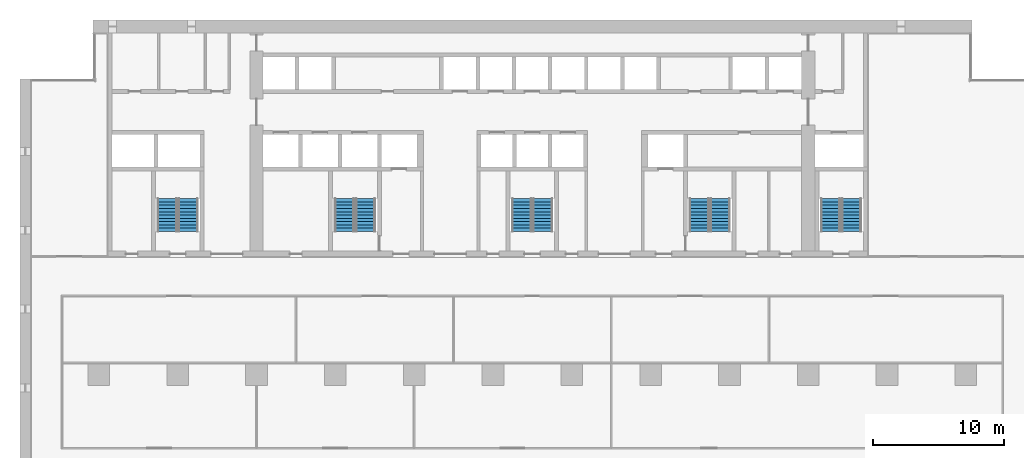
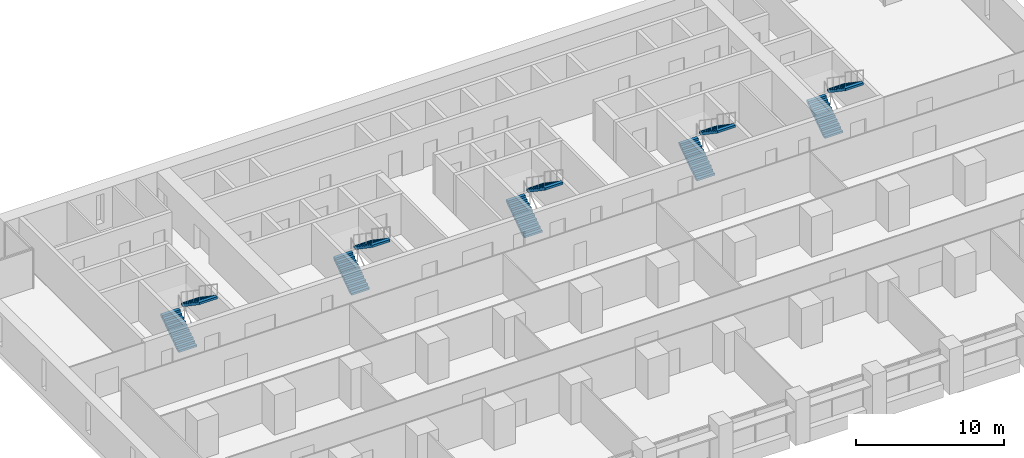
# One storey, part 14 of 18: 10 stair flights, 5 elements without a shape of their own.
"""IFC4 building model written with IfcOpenShell, lengths in metres."""

import ifcopenshell
import ifcopenshell.guid

model = None  # the IFC model being written
_history = None  # IfcOwnerHistory: only IFC2X3 demands one
_inside = {}  # id of a spatial element -> (the spatial element, [elements in it])
_under = {}  # id of a project, library or spatial element -> (it, [spatial elements below it])
_declared = {}  # id of a project -> (the project, [libraries it declares])
_typed = {}  # id of a type object -> (the type object, [elements of that type])
_made_of = {}  # id of a material, layer set ... -> (it, [elements and type objects made of it])


def new_model(schema):
    """Start an empty IFC model of exactly this schema.

    Asked for "IFC4X3", IfcOpenShell would pick the latest addendum, in which some entities
    have other attributes; the version numbers below select the first issue.
    IFC2X3 requires an IfcOwnerHistory on every rooted entity: one is made here for all.
    """
    global model, _history
    if schema == "IFC4X3":
        model = ifcopenshell.file(schema_version=(4, 3, 0, 0))
    else:
        model = ifcopenshell.file(schema=schema)
    _inside.clear()
    _under.clear()
    _declared.clear()
    _typed.clear()
    _made_of.clear()
    _history = None
    if model.schema == "IFC2X3":
        org = make("IfcOrganization", Name="unknown")
        user = make(
            "IfcPersonAndOrganization",
            ThePerson=make("IfcPerson", FamilyName="unknown"),
            TheOrganization=org,
        )
        app = make(
            "IfcApplication",
            ApplicationDeveloper=org,
            Version="unknown",
            ApplicationFullName="unknown",
            ApplicationIdentifier="unknown",
        )
        _history = make(
            "IfcOwnerHistory",
            OwningUser=user,
            OwningApplication=app,
            ChangeAction="ADDED",
            CreationDate=0,
        )
    return model


def make(cls, **values):
    """One entity of the class cls with the attributes given. An attribute that is None is left unset."""
    return model.create_entity(
        cls, **{name: value for name, value in values.items() if value is not None}
    )


def rooted(cls, **values):
    """An entity with a GlobalId (a new one), such as an element, a storey or a relation."""
    return make(cls, GlobalId=ifcopenshell.guid.new(), OwnerHistory=_history, **values)


def si_unit(unit_type, name, prefix=None):
    """IfcSIUnit, for example si_unit("LENGTHUNIT", "METRE", prefix="MILLI")."""
    return make("IfcSIUnit", UnitType=unit_type, Prefix=prefix, Name=name)


def assignment(units):
    """IfcUnitAssignment: the units of a project."""
    return None if units is None else make("IfcUnitAssignment", Units=units)


def point(xyz):
    """IfcCartesianPoint."""
    return None if xyz is None else make("IfcCartesianPoint", Coordinates=xyz)


def direction(xyz):
    """IfcDirection."""
    return None if xyz is None else make("IfcDirection", DirectionRatios=xyz)


def frame(location, z_axis=None, x_axis=None):
    """IfcAxis2Placement3D, a coordinate frame: its origin and axes. An axis left out is left unset."""
    return make(
        "IfcAxis2Placement3D",
        Location=point(location),
        Axis=direction(z_axis),
        RefDirection=direction(x_axis),
    )


def origin():
    """The frame at (0, 0, 0) with its axes left unset."""
    return frame((0.0, 0.0, 0.0))


def place(relative_to, where):
    """IfcLocalPlacement: puts the frame where relative to a parent placement (None: the world)."""
    return make(
        "IfcLocalPlacement", PlacementRelTo=relative_to, RelativePlacement=where
    )


def context(
    kind, dimensions, precision=None, world=None, true_north=None, identifier=None
):
    """IfcGeometricRepresentationContext, for example the 3D "Model" context."""
    return make(
        "IfcGeometricRepresentationContext",
        ContextIdentifier=identifier,
        ContextType=kind,
        CoordinateSpaceDimension=dimensions,
        Precision=precision,
        WorldCoordinateSystem=world,
        TrueNorth=true_north,
    )


def subcontext(parent, identifier, kind, view, scale=None):
    """IfcGeometricRepresentationSubContext, for example "Body" below "Model"."""
    return make(
        "IfcGeometricRepresentationSubContext",
        ContextIdentifier=identifier,
        ContextType=kind,
        ParentContext=parent,
        TargetScale=scale,
        TargetView=view,
    )


def project(units=None, contexts=None):
    """IfcProject with its units and contexts."""
    return rooted(
        "IfcProject",
        Name="project",
        RepresentationContexts=contexts,
        UnitsInContext=assignment(units),
    )


def spatial(cls, under=None, at=None, **own):
    """A site, building, storey or space (cls), placed at a placement, below another one or the project."""
    s = rooted(cls, ObjectPlacement=at, **own)
    if under is not None:
        _under.setdefault(under.id(), (under, []))[1].append(s)
    return s


def polyline(points):
    """IfcPolyline through the points."""
    return make("IfcPolyline", Points=[point(p) for p in points])


def outline(outer, holes=None, kind="AREA"):
    """IfcArbitraryClosedProfileDef: a profile drawn as a closed curve; with holes, ...WithVoids."""
    if holes is None:
        return make("IfcArbitraryClosedProfileDef", ProfileType=kind, OuterCurve=outer)
    return make(
        "IfcArbitraryProfileDefWithVoids",
        ProfileType=kind,
        OuterCurve=outer,
        InnerCurves=holes,
    )


def extrude(swept, where, along, depth):
    """IfcExtrudedAreaSolid: the profile swept, set in the frame where, extruded along a direction by depth."""
    return make(
        "IfcExtrudedAreaSolid",
        SweptArea=swept,
        Position=where,
        ExtrudedDirection=direction(along),
        Depth=depth,
    )


def shape(context_of_items, identifier, shape_type, items):
    """IfcShapeRepresentation: the items that make up one representation, for example the "Body"."""
    return make(
        "IfcShapeRepresentation",
        ContextOfItems=context_of_items,
        RepresentationIdentifier=identifier,
        RepresentationType=shape_type,
        Items=items,
    )


def material(Name=None, Category=None):
    """IfcMaterial."""
    return make("IfcMaterial", Name=Name, Category=Category)


def made_of(thing, what):
    """Note that an element or type object is made of a material, layer set ...; save() writes the relation."""
    if what is not None:
        _made_of.setdefault(what.id(), (what, []))[1].append(thing)
    return thing


def type_object(cls, material=None, **own):
    """A type object (cls), such as IfcWallType, which elements share."""
    return made_of(rooted(cls, **own), material)


def element(
    cls,
    number,
    at=None,
    inside=None,
    cuts=None,
    type_object=None,
    material=None,
    context=None,
    identifier="Body",
    shape_type=None,
    held_by="IfcProductDefinitionShape",
    body=None,
    shapes=None,
    **own,
):
    """One element of the class cls, such as IfcWall. Its Tag is "e" and its number.

    at: its placement. inside: the storey or other place that contains it. cuts: it is an
    opening in that element (IfcRelVoidsElement). A single representation is given by context,
    identifier, shape_type and body (its items); several are given by shapes. held_by: the class
    of the entity that holds the representations. save() writes the other relations.
    """
    e = rooted(cls, Tag="e%d" % number, ObjectPlacement=at, **own)
    if body is not None:
        shapes = [shape(context, identifier, shape_type, body)]
    if shapes is not None:
        e.Representation = make(held_by, Representations=shapes)
    if inside is not None:
        _inside.setdefault(inside.id(), (inside, []))[1].append(e)
    if cuts is not None:
        rooted(
            "IfcRelVoidsElement", RelatingBuildingElement=cuts, RelatedOpeningElement=e
        )
    if type_object is not None:
        _typed.setdefault(type_object.id(), (type_object, []))[1].append(e)
    return made_of(e, material)


def aggregate(whole, parts):
    """IfcRelAggregates: a whole, such as a stair, and the parts it consists of."""
    return rooted("IfcRelAggregates", RelatingObject=whole, RelatedObjects=parts)


def save(model, path):
    """Write the relations noted so far, then the file.

    IfcRelAggregates (storeys below a building ...), IfcRelContainedInSpatialStructure (elements
    in a storey), IfcRelDefinesByType, IfcRelAssociatesMaterial and IfcRelDeclares: one each for
    every whole, place, type object, material and project.
    """
    for whole, parts in _under.values():
        aggregate(whole, parts)
    for where, things in _inside.values():
        rooted(
            "IfcRelContainedInSpatialStructure",
            RelatedElements=things,
            RelatingStructure=where,
        )
    for kind, things in _typed.values():
        rooted("IfcRelDefinesByType", RelatedObjects=things, RelatingType=kind)
    for what, things in _made_of.values():
        rooted("IfcRelAssociatesMaterial", RelatedObjects=things, RelatingMaterial=what)
    for by, libraries in _declared.values():
        rooted("IfcRelDeclares", RelatingContext=by, RelatedDefinitions=libraries)
    model.write(path)


model = new_model("IFC4")

# Units and contexts
model_context = context("Model", 3, precision=1e-05, world=origin(), true_north=direction((0.0, 1.0)))
body_context = subcontext(model_context, "Body", "Model", "MODEL_VIEW")
ifc_project = project(units=[si_unit("LENGTHUNIT", "METRE"), si_unit("AREAUNIT", "SQUARE_METRE"), si_unit("VOLUMEUNIT", "CUBIC_METRE"), si_unit("PLANEANGLEUNIT", "RADIAN"), si_unit("MASSUNIT", "GRAM", prefix="KILO")], contexts=[model_context])

# Site, building, storey
site_placement = place(None, origin())
site = spatial("IfcSite", under=ifc_project, at=site_placement, CompositionType="ELEMENT")
building_placement = place(site_placement, origin())
building = spatial("IfcBuilding", under=site, at=building_placement, Name="Calvaro Tower", CompositionType="ELEMENT")
storey_placement = place(building_placement, frame((0.0, 0.0, 56.25)))
storey = spatial("IfcBuildingStorey", under=building, at=storey_placement, Name="L13", CompositionType="ELEMENT", Elevation=56.25)

# Stair, stair flights
ifc_material_1 = material(Name="Concrete C40/50", Category="concrete")
stair_type = type_object("IfcStairType", Name="Exit stair 1400 2 flights", PredefinedType="HALF_TURN_STAIR", material=ifc_material_1)
stair_1_placement = place(storey_placement, origin())
stair_1 = element("IfcStair", 1, at=stair_1_placement, inside=storey, type_object=stair_type, Name="Exit stair S1", PredefinedType="HALF_TURN_STAIR")
ifc_material_2 = material(Name="Concrete C40/50", Category="concrete")
stair_flight_type = type_object("IfcStairFlightType", Name="Stair flight", PredefinedType="STRAIGHT", material=ifc_material_2)
stair_flight_1_placement = place(storey_placement, frame((11.199951171875, 29.89990234375, 0.0), z_axis=(0.0, 0.0, 1.0), x_axis=(0.0, 1.0, 0.0)))
stair_flight_1 = element("IfcStairFlight", 2, at=stair_flight_1_placement, type_object=stair_flight_type, Name="Exit stair 1, flight 1", NumberOfRisers=11, NumberOfTreads=10, PredefinedType="STRAIGHT", RiserHeight=0.170454545, TreadLength=0.25, context=body_context, shape_type="SweptSolid", body=[
    extrude(outline(polyline([(0.0, 0.0), (0.0, 0.17041015625), (0.25, 0.17041015625), (0.25, 0.3408203125), (0.5, 0.3408203125), (0.5, 0.511474609375), (0.75, 0.511474609375), (0.75, 0.681884765625), (1.0, 0.681884765625), (1.0, 0.852294921875), (1.25, 0.852294921875), (1.25, 1.022705078125), (1.5, 1.022705078125), (1.5, 1.193115234375), (1.75, 1.193115234375), (1.75, 1.363525390625), (2.0, 1.363525390625), (2.0, 1.5341796875), (2.25, 1.5341796875), (2.25, 1.70458984375), (2.5, 1.70458984375), (2.5, 1.875), (2.5, 1.523193359375), (0.26611328125, 0.0), (0.0, 0.0)])), frame((0.0, 0.699951171875, 0.0), z_axis=(0.0, -1.0, 0.0), x_axis=(1.0, 0.0, 0.0)), (0.0, 0.0, 1.0), 1.39990234375),
])
stair_flight_2_placement = place(storey_placement, frame((12.800048828125, 32.39990234375, 1.875), z_axis=(0.0, 0.0, 1.0), x_axis=(0.0, -1.0, 0.0)))
stair_flight_2 = element("IfcStairFlight", 3, at=stair_flight_2_placement, type_object=stair_flight_type, Name="Exit stair 1, flight 2", NumberOfRisers=11, NumberOfTreads=10, PredefinedType="STRAIGHT", RiserHeight=0.170454545, TreadLength=0.25, context=body_context, shape_type="SweptSolid", body=[
    extrude(outline(polyline([(0.0, 0.0), (0.0, 0.17041015625), (0.25, 0.17041015625), (0.25, 0.3408203125), (0.5, 0.3408203125), (0.5, 0.511474609375), (0.75, 0.511474609375), (0.75, 0.681884765625), (1.0, 0.681884765625), (1.0, 0.852294921875), (1.25, 0.852294921875), (1.25, 1.022705078125), (1.5, 1.022705078125), (1.5, 1.193115234375), (1.75, 1.193115234375), (1.75, 1.363525390625), (2.0, 1.363525390625), (2.0, 1.5341796875), (2.25, 1.5341796875), (2.25, 1.70458984375), (2.5, 1.70458984375), (2.5, 1.875), (2.5, 1.523193359375), (0.26611328125, 0.0), (0.0, 0.0)])), frame((0.0, 0.699951171875, 0.0), z_axis=(0.0, -1.0, 0.0), x_axis=(1.0, 0.0, 0.0)), (0.0, 0.0, 1.0), 1.39990234375),
])
aggregate(stair_1, [stair_flight_1, stair_flight_2])

stair_2_placement = place(storey_placement, origin())
stair_2 = element("IfcStair", 4, at=stair_2_placement, inside=storey, type_object=stair_type, Name="Exit stair S2", PredefinedType="HALF_TURN_STAIR")
stair_flight_3_placement = place(storey_placement, frame((24.699951171875, 29.89990234375, 0.0), z_axis=(0.0, 0.0, 1.0), x_axis=(0.0, 1.0, 0.0)))
stair_flight_3 = element("IfcStairFlight", 5, at=stair_flight_3_placement, type_object=stair_flight_type, Name="Exit stair 2, flight 1", NumberOfRisers=11, NumberOfTreads=10, PredefinedType="STRAIGHT", RiserHeight=0.170454545, TreadLength=0.25, context=body_context, shape_type="SweptSolid", body=[
    extrude(outline(polyline([(0.0, 0.0), (0.0, 0.17041015625), (0.25, 0.17041015625), (0.25, 0.3408203125), (0.5, 0.3408203125), (0.5, 0.511474609375), (0.75, 0.511474609375), (0.75, 0.681884765625), (1.0, 0.681884765625), (1.0, 0.852294921875), (1.25, 0.852294921875), (1.25, 1.022705078125), (1.5, 1.022705078125), (1.5, 1.193115234375), (1.75, 1.193115234375), (1.75, 1.363525390625), (2.0, 1.363525390625), (2.0, 1.5341796875), (2.25, 1.5341796875), (2.25, 1.70458984375), (2.5, 1.70458984375), (2.5, 1.875), (2.5, 1.523193359375), (0.26611328125, 0.0), (0.0, 0.0)])), frame((0.0, 0.699951171875, 0.0), z_axis=(0.0, -1.0, 0.0), x_axis=(1.0, 0.0, 0.0)), (0.0, 0.0, 1.0), 1.39990234375),
])
stair_flight_4_placement = place(storey_placement, frame((26.300048828125, 32.39990234375, 1.875), z_axis=(0.0, 0.0, 1.0), x_axis=(0.0, -1.0, 0.0)))
stair_flight_4 = element("IfcStairFlight", 6, at=stair_flight_4_placement, type_object=stair_flight_type, Name="Exit stair 2, flight 2", NumberOfRisers=11, NumberOfTreads=10, PredefinedType="STRAIGHT", RiserHeight=0.170454545, TreadLength=0.25, context=body_context, shape_type="SweptSolid", body=[
    extrude(outline(polyline([(0.0, 0.0), (0.0, 0.17041015625), (0.25, 0.17041015625), (0.25, 0.3408203125), (0.5, 0.3408203125), (0.5, 0.511474609375), (0.75, 0.511474609375), (0.75, 0.681884765625), (1.0, 0.681884765625), (1.0, 0.852294921875), (1.25, 0.852294921875), (1.25, 1.022705078125), (1.5, 1.022705078125), (1.5, 1.193115234375), (1.75, 1.193115234375), (1.75, 1.363525390625), (2.0, 1.363525390625), (2.0, 1.5341796875), (2.25, 1.5341796875), (2.25, 1.70458984375), (2.5, 1.70458984375), (2.5, 1.875), (2.5, 1.523193359375), (0.26611328125, 0.0), (0.0, 0.0)])), frame((0.0, 0.699951171875, 0.0), z_axis=(0.0, -1.0, 0.0), x_axis=(1.0, 0.0, 0.0)), (0.0, 0.0, 1.0), 1.39990234375),
])
aggregate(stair_2, [stair_flight_3, stair_flight_4])

stair_3_placement = place(storey_placement, origin())
stair_3 = element("IfcStair", 7, at=stair_3_placement, inside=storey, type_object=stair_type, Name="Exit stair S3", PredefinedType="HALF_TURN_STAIR")
stair_flight_5_placement = place(storey_placement, frame((38.199951171875, 29.89990234375, 0.0), z_axis=(0.0, 0.0, 1.0), x_axis=(0.0, 1.0, 0.0)))
stair_flight_5 = element("IfcStairFlight", 8, at=stair_flight_5_placement, type_object=stair_flight_type, Name="Exit stair 3, flight 1", NumberOfRisers=11, NumberOfTreads=10, PredefinedType="STRAIGHT", RiserHeight=0.170454545, TreadLength=0.25, context=body_context, shape_type="SweptSolid", body=[
    extrude(outline(polyline([(0.0, 0.0), (0.0, 0.17041015625), (0.25, 0.17041015625), (0.25, 0.3408203125), (0.5, 0.3408203125), (0.5, 0.511474609375), (0.75, 0.511474609375), (0.75, 0.681884765625), (1.0, 0.681884765625), (1.0, 0.852294921875), (1.25, 0.852294921875), (1.25, 1.022705078125), (1.5, 1.022705078125), (1.5, 1.193115234375), (1.75, 1.193115234375), (1.75, 1.363525390625), (2.0, 1.363525390625), (2.0, 1.5341796875), (2.25, 1.5341796875), (2.25, 1.70458984375), (2.5, 1.70458984375), (2.5, 1.875), (2.5, 1.523193359375), (0.26611328125, 0.0), (0.0, 0.0)])), frame((0.0, 0.699951171875, 0.0), z_axis=(0.0, -1.0, 0.0), x_axis=(1.0, 0.0, 0.0)), (0.0, 0.0, 1.0), 1.39990234375),
])
stair_flight_6_placement = place(storey_placement, frame((39.800048828125, 32.39990234375, 1.875), z_axis=(0.0, 0.0, 1.0), x_axis=(0.0, -1.0, 0.0)))
stair_flight_6 = element("IfcStairFlight", 9, at=stair_flight_6_placement, type_object=stair_flight_type, Name="Exit stair 3, flight 2", NumberOfRisers=11, NumberOfTreads=10, PredefinedType="STRAIGHT", RiserHeight=0.170454545, TreadLength=0.25, context=body_context, shape_type="SweptSolid", body=[
    extrude(outline(polyline([(0.0, 0.0), (0.0, 0.17041015625), (0.25, 0.17041015625), (0.25, 0.3408203125), (0.5, 0.3408203125), (0.5, 0.511474609375), (0.75, 0.511474609375), (0.75, 0.681884765625), (1.0, 0.681884765625), (1.0, 0.852294921875), (1.25, 0.852294921875), (1.25, 1.022705078125), (1.5, 1.022705078125), (1.5, 1.193115234375), (1.75, 1.193115234375), (1.75, 1.363525390625), (2.0, 1.363525390625), (2.0, 1.5341796875), (2.25, 1.5341796875), (2.25, 1.70458984375), (2.5, 1.70458984375), (2.5, 1.875), (2.5, 1.523193359375), (0.26611328125, 0.0), (0.0, 0.0)])), frame((0.0, 0.699951171875, 0.0), z_axis=(0.0, -1.0, 0.0), x_axis=(1.0, 0.0, 0.0)), (0.0, 0.0, 1.0), 1.39990234375),
])
aggregate(stair_3, [stair_flight_5, stair_flight_6])

stair_4_placement = place(storey_placement, origin())
stair_4 = element("IfcStair", 10, at=stair_4_placement, inside=storey, type_object=stair_type, Name="Exit stair S4", PredefinedType="HALF_TURN_STAIR")
stair_flight_7_placement = place(storey_placement, frame((51.699951171875, 29.89990234375, 0.0), z_axis=(0.0, 0.0, 1.0), x_axis=(0.0, 1.0, 0.0)))
stair_flight_7 = element("IfcStairFlight", 11, at=stair_flight_7_placement, type_object=stair_flight_type, Name="Exit stair 4, flight 1", NumberOfRisers=11, NumberOfTreads=10, PredefinedType="STRAIGHT", RiserHeight=0.170454545, TreadLength=0.25, context=body_context, shape_type="SweptSolid", body=[
    extrude(outline(polyline([(0.0, 0.0), (0.0, 0.17041015625), (0.25, 0.17041015625), (0.25, 0.3408203125), (0.5, 0.3408203125), (0.5, 0.511474609375), (0.75, 0.511474609375), (0.75, 0.681884765625), (1.0, 0.681884765625), (1.0, 0.852294921875), (1.25, 0.852294921875), (1.25, 1.022705078125), (1.5, 1.022705078125), (1.5, 1.193115234375), (1.75, 1.193115234375), (1.75, 1.363525390625), (2.0, 1.363525390625), (2.0, 1.5341796875), (2.25, 1.5341796875), (2.25, 1.70458984375), (2.5, 1.70458984375), (2.5, 1.875), (2.5, 1.523193359375), (0.26611328125, 0.0), (0.0, 0.0)])), frame((0.0, 0.699951171875, 0.0), z_axis=(0.0, -1.0, 0.0), x_axis=(1.0, 0.0, 0.0)), (0.0, 0.0, 1.0), 1.39990234375),
])
stair_flight_8_placement = place(storey_placement, frame((53.300048828125, 32.39990234375, 1.875), z_axis=(0.0, 0.0, 1.0), x_axis=(0.0, -1.0, 0.0)))
stair_flight_8 = element("IfcStairFlight", 12, at=stair_flight_8_placement, type_object=stair_flight_type, Name="Exit stair 4, flight 2", NumberOfRisers=11, NumberOfTreads=10, PredefinedType="STRAIGHT", RiserHeight=0.170454545, TreadLength=0.25, context=body_context, shape_type="SweptSolid", body=[
    extrude(outline(polyline([(0.0, 0.0), (0.0, 0.17041015625), (0.25, 0.17041015625), (0.25, 0.3408203125), (0.5, 0.3408203125), (0.5, 0.511474609375), (0.75, 0.511474609375), (0.75, 0.681884765625), (1.0, 0.681884765625), (1.0, 0.852294921875), (1.25, 0.852294921875), (1.25, 1.022705078125), (1.5, 1.022705078125), (1.5, 1.193115234375), (1.75, 1.193115234375), (1.75, 1.363525390625), (2.0, 1.363525390625), (2.0, 1.5341796875), (2.25, 1.5341796875), (2.25, 1.70458984375), (2.5, 1.70458984375), (2.5, 1.875), (2.5, 1.523193359375), (0.26611328125, 0.0), (0.0, 0.0)])), frame((0.0, 0.699951171875, 0.0), z_axis=(0.0, -1.0, 0.0), x_axis=(1.0, 0.0, 0.0)), (0.0, 0.0, 1.0), 1.39990234375),
])
aggregate(stair_4, [stair_flight_7, stair_flight_8])

stair_5_placement = place(storey_placement, origin())
stair_5 = element("IfcStair", 13, at=stair_5_placement, inside=storey, type_object=stair_type, Name="Exit stair S5", PredefinedType="HALF_TURN_STAIR")
stair_flight_9_placement = place(storey_placement, frame((61.699951171875, 29.89990234375, 0.0), z_axis=(0.0, 0.0, 1.0), x_axis=(0.0, 1.0, 0.0)))
stair_flight_9 = element("IfcStairFlight", 14, at=stair_flight_9_placement, type_object=stair_flight_type, Name="Exit stair 5, flight 1", NumberOfRisers=11, NumberOfTreads=10, PredefinedType="STRAIGHT", RiserHeight=0.170454545, TreadLength=0.25, context=body_context, shape_type="SweptSolid", body=[
    extrude(outline(polyline([(0.0, 0.0), (0.0, 0.17041015625), (0.25, 0.17041015625), (0.25, 0.3408203125), (0.5, 0.3408203125), (0.5, 0.511474609375), (0.75, 0.511474609375), (0.75, 0.681884765625), (1.0, 0.681884765625), (1.0, 0.852294921875), (1.25, 0.852294921875), (1.25, 1.022705078125), (1.5, 1.022705078125), (1.5, 1.193115234375), (1.75, 1.193115234375), (1.75, 1.363525390625), (2.0, 1.363525390625), (2.0, 1.5341796875), (2.25, 1.5341796875), (2.25, 1.70458984375), (2.5, 1.70458984375), (2.5, 1.875), (2.5, 1.523193359375), (0.26611328125, 0.0), (0.0, 0.0)])), frame((0.0, 0.699951171875, 0.0), z_axis=(0.0, -1.0, 0.0), x_axis=(1.0, 0.0, 0.0)), (0.0, 0.0, 1.0), 1.39990234375),
])
stair_flight_10_placement = place(storey_placement, frame((63.300048828125, 32.39990234375, 1.875), z_axis=(0.0, 0.0, 1.0), x_axis=(0.0, -1.0, 0.0)))
stair_flight_10 = element("IfcStairFlight", 15, at=stair_flight_10_placement, type_object=stair_flight_type, Name="Exit stair 5, flight 2", NumberOfRisers=11, NumberOfTreads=10, PredefinedType="STRAIGHT", RiserHeight=0.170454545, TreadLength=0.25, context=body_context, shape_type="SweptSolid", body=[
    extrude(outline(polyline([(0.0, 0.0), (0.0, 0.17041015625), (0.25, 0.17041015625), (0.25, 0.3408203125), (0.5, 0.3408203125), (0.5, 0.511474609375), (0.75, 0.511474609375), (0.75, 0.681884765625), (1.0, 0.681884765625), (1.0, 0.852294921875), (1.25, 0.852294921875), (1.25, 1.022705078125), (1.5, 1.022705078125), (1.5, 1.193115234375), (1.75, 1.193115234375), (1.75, 1.363525390625), (2.0, 1.363525390625), (2.0, 1.5341796875), (2.25, 1.5341796875), (2.25, 1.70458984375), (2.5, 1.70458984375), (2.5, 1.875), (2.5, 1.523193359375), (0.26611328125, 0.0), (0.0, 0.0)])), frame((0.0, 0.699951171875, 0.0), z_axis=(0.0, -1.0, 0.0), x_axis=(1.0, 0.0, 0.0)), (0.0, 0.0, 1.0), 1.39990234375),
])
aggregate(stair_5, [stair_flight_9, stair_flight_10])

save(model, "model.ifc")
